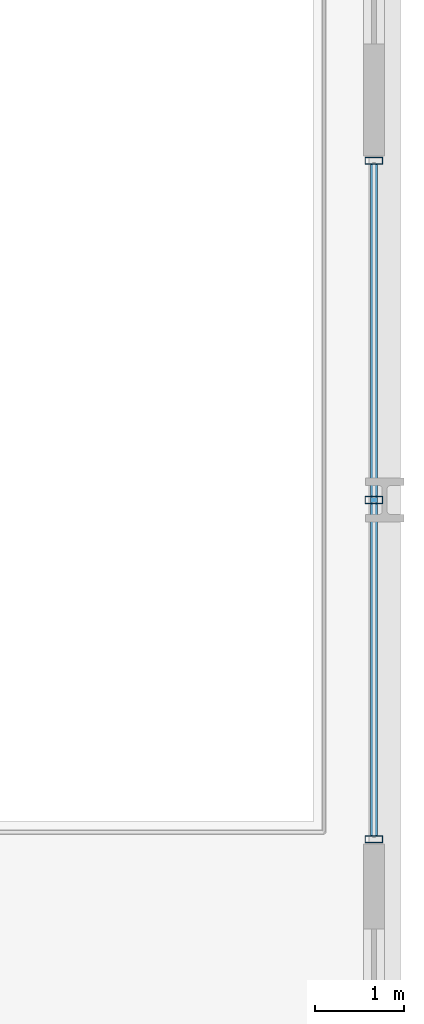
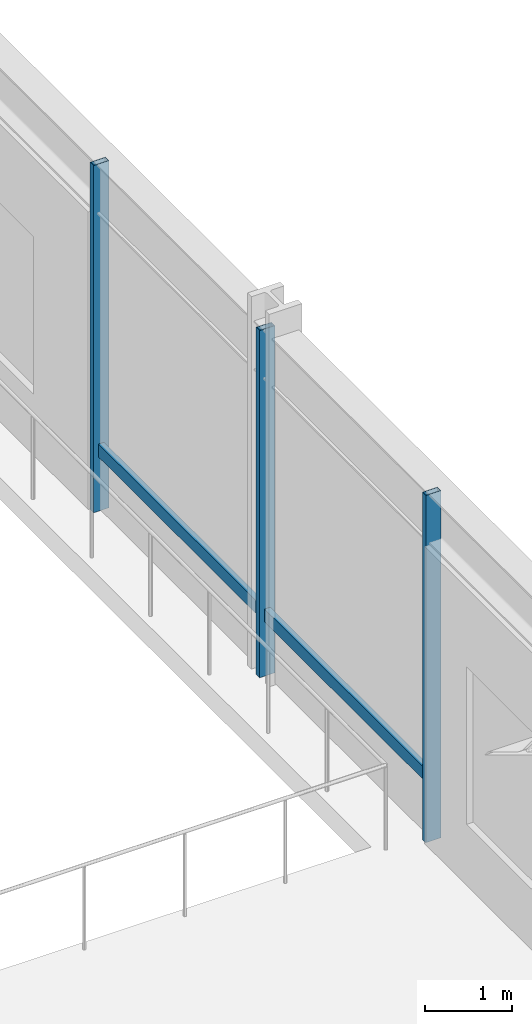
# One storey, part 7 of 20: 4 members, 1 element without a shape of its own.
"""IFC4 building model written with IfcOpenShell, lengths in metres."""

from ifc_helpers import new_model, si_unit, direction, frame, origin, origin_2d, place, context, subcontext, project, spatial, hollow_rectangle, extrude, material, layer, layer_set, material_profile, profile_set, type_object, element, aggregate, save


model = new_model("IFC4")

# Units and contexts
model_context = context("Model", 3, precision=1e-05, world=origin(), true_north=direction((0.0, 1.0)))
body_context = subcontext(model_context, "Body", "Model", "MODEL_VIEW")
ifc_project = project(units=[si_unit("LENGTHUNIT", "METRE"), si_unit("AREAUNIT", "SQUARE_METRE"), si_unit("VOLUMEUNIT", "CUBIC_METRE"), si_unit("PLANEANGLEUNIT", "RADIAN"), si_unit("MASSUNIT", "GRAM", prefix="KILO")], contexts=[model_context])

# Site, building, storey
site_placement = place(None, origin())
site = spatial("IfcSite", under=ifc_project, at=site_placement, CompositionType="ELEMENT")
building_placement = place(site_placement, origin())
building = spatial("IfcBuilding", under=site, at=building_placement, Name="Drelvath Grand Hotel", CompositionType="ELEMENT")
storey_placement = place(building_placement, frame((0.0, 0.0, 5.60009765625)))
storey = spatial("IfcBuildingStorey", under=building, at=storey_placement, Name="L01", CompositionType="ELEMENT", Elevation=5.60009765625)

# Curtain wall, members
ifc_material = material(Name="Dark Bronze Anodised Aluminium Frame", Category="aluminium")
ifc_layer = layer(ifc_material, 0.199951171875)
ifc_layer_set = layer_set([ifc_layer], Name="Dark Bronze Anodised Aluminium Frame")
curtain_wall_type = type_object("IfcCurtainWallType", Name="Stick Curtain Wall CW-01 Dark Bronze Podium", PredefinedType="NOTDEFINED", material=ifc_layer_set)
curtain_wall_placement = place(storey_placement, origin())
curtain_wall = element("IfcCurtainWall", 1, at=curtain_wall_placement, inside=storey, type_object=curtain_wall_type, Name="L01 CW-01 Curtain Wall CW01-L01-EA1", PredefinedType="NOTDEFINED")
ifc_material_profile_1 = material_profile(ifc_material, hollow_rectangle(XDim=0.074951171875, YDim=0.179931640625, WallThickness=0.0048828125, at=origin_2d()), Name="HSS180X75X5")
ifc_profile_set_1 = profile_set([ifc_material_profile_1], Name="Dark Bronze Anodised Aluminium Frame")
member_type_1 = type_object("IfcMemberType", Name="Curtain Wall Horizontal Transom CW-01 HSS180X75X5", PredefinedType="USERDEFINED", material=ifc_profile_set_1)
member_1_placement = place(storey_placement, frame((38.8798828125, 22.360107421875, 0.849853515625), z_axis=(0.0, -1.0, 0.0), x_axis=(1.0, 0.0, 0.0)))
member_1 = element("IfcMember", 2, at=member_1_placement, type_object=member_type_1, Name="CW01-L01-EA1 Sill Transom", ObjectType="TRANSOM", PredefinedType="USERDEFINED", context=body_context, shape_type="SweptSolid", body=[
    extrude(hollow_rectangle(XDim=0.074951171875, YDim=0.179931640625, WallThickness=0.0048828125, at=origin_2d()), origin(), (0.0, 0.0, 1.0), 7.52001953125),
])
ifc_material_profile_2 = material_profile(ifc_material, hollow_rectangle(XDim=0.080078125, YDim=0.199951171875, WallThickness=0.0048828125, at=origin_2d()), Name="HSS200X80X5")
ifc_profile_set_2 = profile_set([ifc_material_profile_2], Name="Dark Bronze Anodised Aluminium Frame")
member_type_2 = type_object("IfcMemberType", Name="Curtain Wall Vertical Mullion CW-01 HSS200X80X5", PredefinedType="MULLION", material=ifc_profile_set_2)
member_2_placement = place(storey_placement, frame((38.8798828125, 22.39990234375, 0.0), z_axis=(0.0, 0.0, 1.0), x_axis=(0.0, 1.0, 0.0)))
member_2 = element("IfcMember", 3, at=member_2_placement, type_object=member_type_2, Name="CW01-L01-EA1 Mullion 1", PredefinedType="MULLION", context=body_context, shape_type="SweptSolid", body=[
    extrude(hollow_rectangle(XDim=0.080078125, YDim=0.199951171875, WallThickness=0.0048828125, at=origin_2d()), origin(), (0.0, 0.0, 1.0), 4.849853515625),
])
member_3_placement = place(storey_placement, frame((38.8798828125, 18.60009765625, 0.0), z_axis=(0.0, 0.0, 1.0), x_axis=(0.0, 1.0, 0.0)))
member_3 = element("IfcMember", 4, at=member_3_placement, type_object=member_type_2, Name="CW01-L01-EA1 Mullion 2", PredefinedType="MULLION", context=body_context, shape_type="SweptSolid", body=[
    extrude(hollow_rectangle(XDim=0.080078125, YDim=0.199951171875, WallThickness=0.0048828125, at=origin_2d()), origin(), (0.0, 0.0, 1.0), 4.849853515625),
])
member_4_placement = place(storey_placement, frame((38.8798828125, 14.800048828125, 0.0), z_axis=(0.0, 0.0, 1.0), x_axis=(0.0, 1.0, 0.0)))
member_4 = element("IfcMember", 5, at=member_4_placement, type_object=member_type_2, Name="CW01-L01-EA1 Mullion 3", PredefinedType="MULLION", context=body_context, shape_type="SweptSolid", body=[
    extrude(hollow_rectangle(XDim=0.080078125, YDim=0.199951171875, WallThickness=0.0048828125, at=origin_2d()), origin(), (0.0, 0.0, 1.0), 4.849853515625),
])
aggregate(curtain_wall, [member_2, member_3, member_4, member_1])

save(model, "model.ifc")
